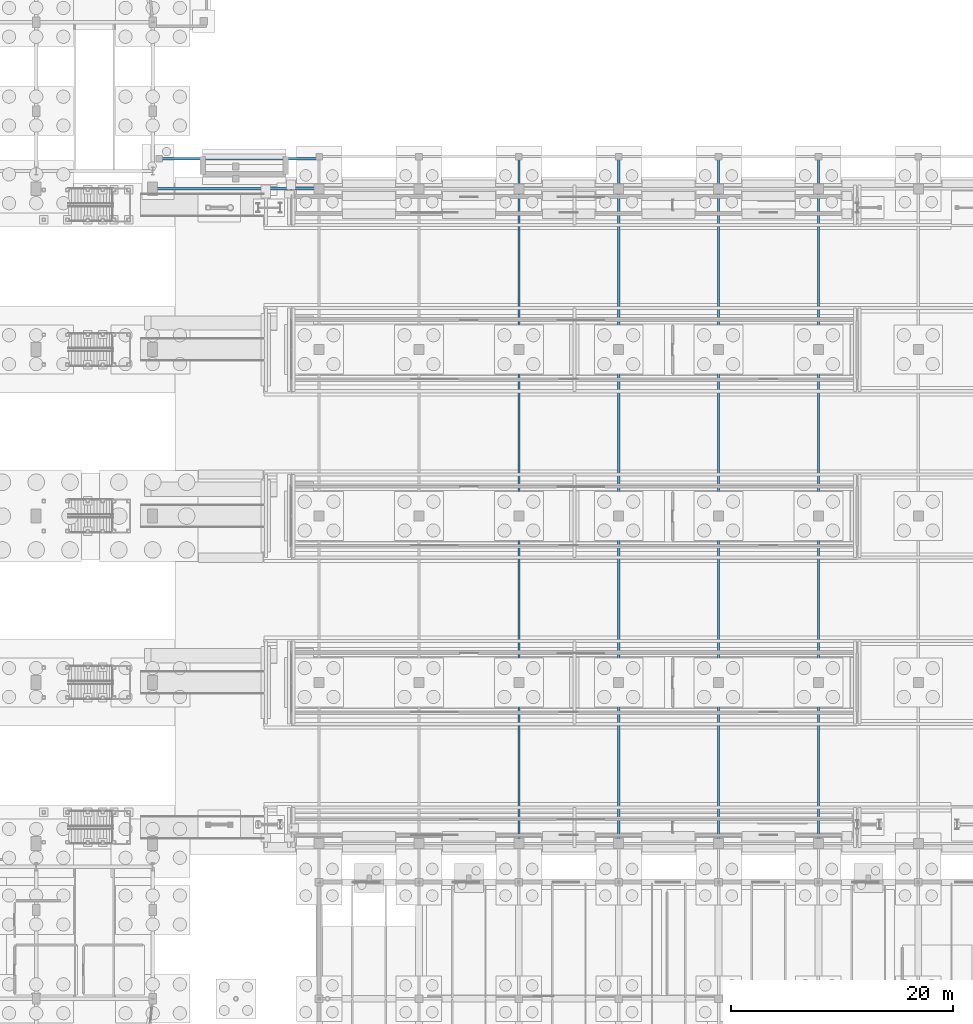
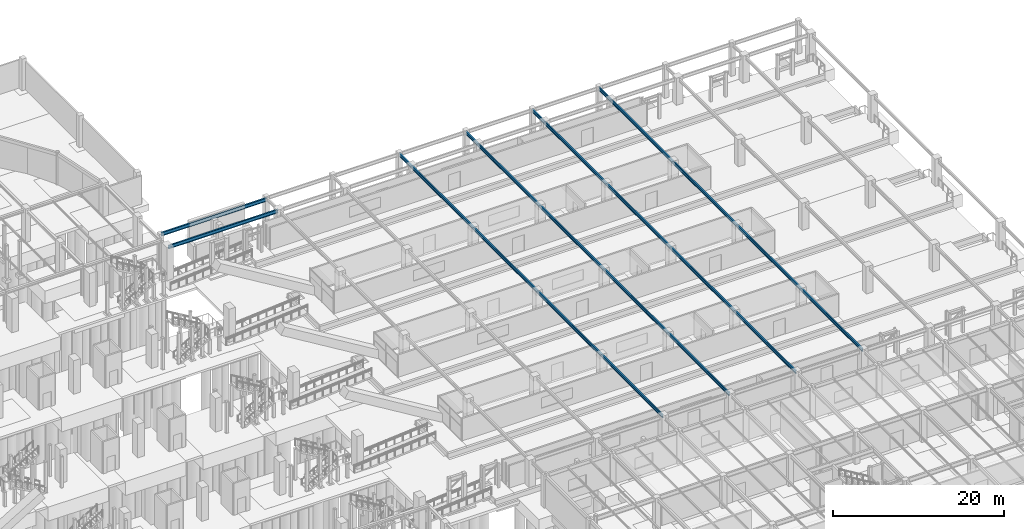
# One storey, part 88 of 160: 6 beams.
"""IFC4 building model written with IfcOpenShell, lengths in metres."""

from ifc_helpers import new_model, si_unit, direction, frame, origin, origin_2d, place, context, subcontext, project, spatial, i_section, extrude, material, material_profile, profile_set, type_object, element, save


model = new_model("IFC4")

# Units and contexts
model_context = context("Model", 3, precision=1e-05, world=origin(), true_north=direction((0.0, 1.0)))
body_context = subcontext(model_context, "Body", "Model", "MODEL_VIEW")
ifc_project = project(units=[si_unit("LENGTHUNIT", "METRE"), si_unit("AREAUNIT", "SQUARE_METRE"), si_unit("VOLUMEUNIT", "CUBIC_METRE"), si_unit("PLANEANGLEUNIT", "RADIAN"), si_unit("MASSUNIT", "GRAM", prefix="KILO")], contexts=[model_context])

# Site, building, storey
site_placement = place(None, origin())
site = spatial("IfcSite", under=ifc_project, at=site_placement, CompositionType="ELEMENT")
building_placement = place(site_placement, origin())
building = spatial("IfcBuilding", under=site, at=building_placement, Name="Marlcrest Central Station", CompositionType="ELEMENT")
storey_placement = place(building_placement, origin())
storey = spatial("IfcBuildingStorey", under=building, at=storey_placement, Name="L00", CompositionType="ELEMENT", Elevation=0.0)

# Beams
ifc_material = material(Name="Steel S355", Category="steel")
ifc_material_profile_1 = material_profile(ifc_material, i_section(OverallWidth=0.18994140625, OverallDepth=0.449951171875, WebThickness=0.009521484375, FlangeThickness=0.0146484375, FilletRadius=0.02099609375, at=origin_2d()), Name="IPE 450")
ifc_profile_set_1 = profile_set([ifc_material_profile_1], Name="Steel S355")
beam_type_1 = type_object("IfcBeamType", Name="BM-04", PredefinedType="BEAM", material=ifc_profile_set_1)
for number, where, z_axis, x_axis, name in (
    (1, (162.0, 36.550048828125, 4.385009765625), (0.0, 1.0, 0.0), (-1.0, 0.0, 0.0), "bm-BM-04-L00-01106"),
    (2, (171.0, 36.550048828125, 4.385009765625), (0.0, 1.0, 0.0), (-1.0, 0.0, 0.0), "bm-BM-04-L00-01111"),
    (3, (180.0, 36.550048828125, 4.385009765625), (0.0, 1.0, 0.0), (-1.0, 0.0, 0.0), "bm-BM-04-L00-01116"),
    (4, (189.0, 36.550048828125, 4.385009765625), (0.0, 1.0, 0.0), (-1.0, 0.0, 0.0), "bm-BM-04-L00-01121"),
):
    element("IfcBeam", number, at=place(storey_placement, frame(where, z_axis=z_axis, x_axis=x_axis)), inside=storey, type_object=beam_type_1, Name=name, PredefinedType="BEAM", context=body_context, shape_type="SweptSolid", body=[
        extrude(i_section(OverallWidth=0.18994140625, OverallDepth=0.449951171875, WebThickness=0.009521484375, FlangeThickness=0.0146484375, FilletRadius=0.02099609375, at=origin_2d()), origin(), (0.0, 0.0, 1.0), 61.800048828125),
    ])
ifc_material_profile_2 = material_profile(ifc_material, i_section(OverallWidth=0.199951171875, OverallDepth=0.5, WebThickness=0.01025390625, FlangeThickness=0.01611328125, FilletRadius=0.02099609375, at=origin_2d()), Name="IPE 500")
ifc_profile_set_2 = profile_set([ifc_material_profile_2], Name="Steel S355")
beam_type_2 = type_object("IfcBeamType", Name="BM-05", PredefinedType="BEAM", material=ifc_profile_set_2)
beam_1_placement = place(storey_placement, frame((129.050048828125, 95.5, 4.360107421875), z_axis=(1.0, 0.0, 0.0), x_axis=(0.0, 1.0, 0.0)))
element("IfcBeam", 5, at=beam_1_placement, inside=storey, type_object=beam_type_2, Name="bm-BM-05-L00-01141", PredefinedType="BEAM", context=body_context, shape_type="SweptSolid", body=[
    extrude(i_section(OverallWidth=0.199951171875, OverallDepth=0.5, WebThickness=0.01025390625, FlangeThickness=0.01611328125, FilletRadius=0.02099609375, at=origin_2d()), origin(), (0.0, 0.0, 1.0), 14.89990234375),
])
beam_2_placement = place(storey_placement, frame((129.64990234375, 98.199951171875, 4.360107421875), z_axis=(1.0, 0.0, 0.0), x_axis=(0.0, 1.0, 0.0)))
element("IfcBeam", 6, at=beam_2_placement, inside=storey, type_object=beam_type_2, Name="bm-BM-05-L00-01142", PredefinedType="BEAM", context=body_context, shape_type="SweptSolid", body=[
    extrude(i_section(OverallWidth=0.199951171875, OverallDepth=0.5, WebThickness=0.01025390625, FlangeThickness=0.01611328125, FilletRadius=0.02099609375, at=origin_2d()), origin(), (0.0, 0.0, 1.0), 14.300048828125),
])

save(model, "model.ifc")
